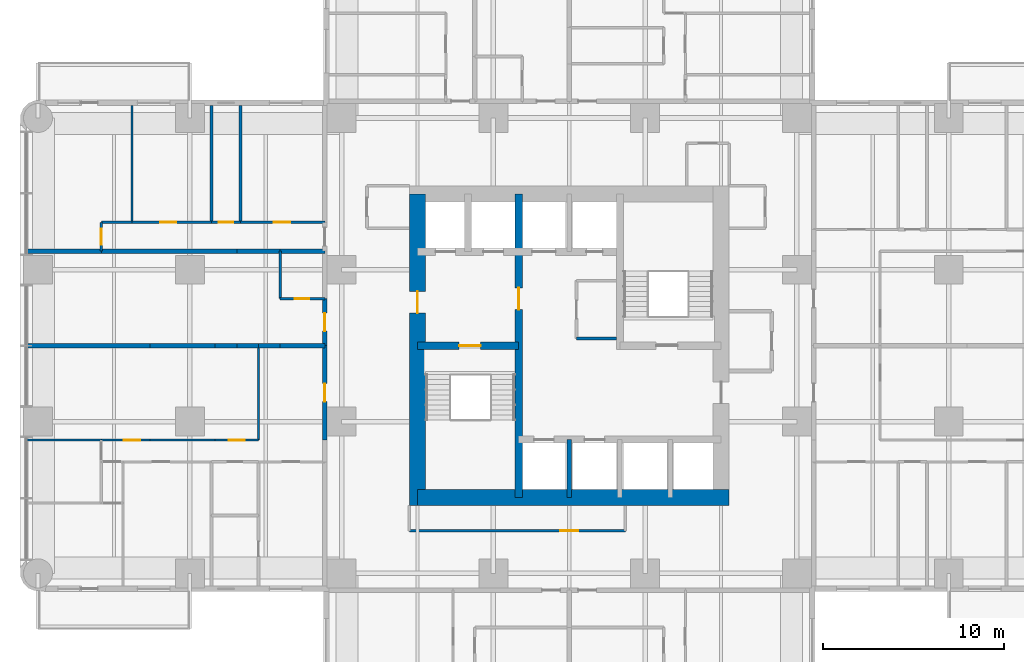
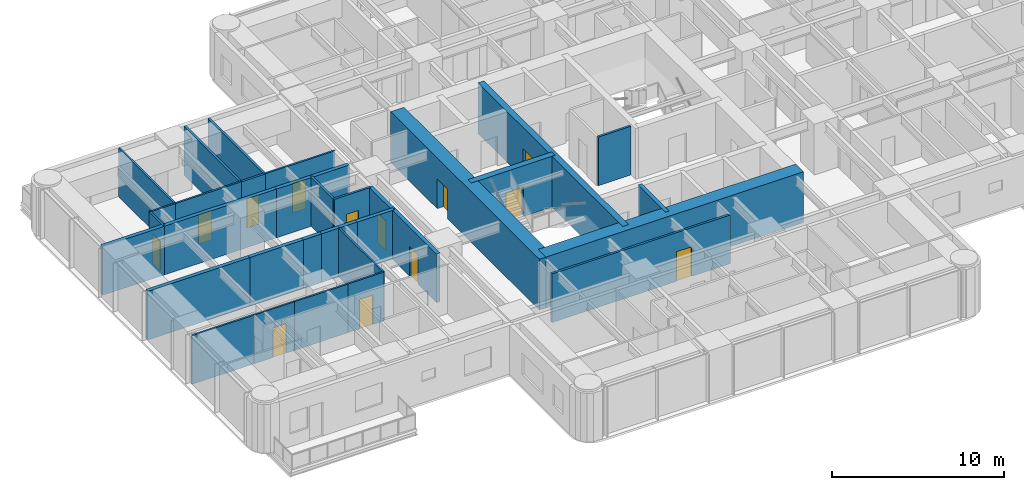
# One storey, part 7 of 14: 34 walls, 13 doors, 13 openings.
"""IFC4 building model written with IfcOpenShell, lengths in metres."""

from ifc_helpers import new_model, si_unit, direction, frame, frame_2d, origin, place, context, subcontext, project, spatial, rectangle, extrude, material, layer, layer_set, type_object, element, fill, save


model = new_model("IFC4")

# Units and contexts
model_context = context("Model", 3, precision=1e-05, world=origin(), true_north=direction((0.0, 1.0)))
body_context = subcontext(model_context, "Body", "Model", "MODEL_VIEW")
ifc_project = project(units=[si_unit("LENGTHUNIT", "METRE"), si_unit("AREAUNIT", "SQUARE_METRE"), si_unit("VOLUMEUNIT", "CUBIC_METRE"), si_unit("PLANEANGLEUNIT", "RADIAN"), si_unit("MASSUNIT", "GRAM", prefix="KILO")], contexts=[model_context])

# Site, building, storey
site_placement = place(None, origin())
site = spatial("IfcSite", under=ifc_project, at=site_placement, CompositionType="ELEMENT")
building_placement = place(site_placement, origin())
building = spatial("IfcBuilding", under=site, at=building_placement, Name="Torre Alcanfor", CompositionType="ELEMENT")
storey_placement = place(building_placement, frame((0.0, 0.0, 130.5)))
storey = spatial("IfcBuildingStorey", under=building, at=storey_placement, Name="L33", CompositionType="ELEMENT", Elevation=130.5)

# Wall, opening, door
ifc_material_1 = material(Name="Concrete block masonry, hollow blocks NMX-C-404 9 MPa", Category="masonry")
ifc_layer_1 = layer(ifc_material_1, 0.25)
ifc_layer_set_1 = layer_set([ifc_layer_1], Name="Apartment entrance wall 250 EI 60")
wall_type_1 = type_object("IfcWallType", Name="Apartment entrance wall 250 EI 60", PredefinedType="PARTITIONING", material=ifc_layer_set_1)
wall_1_placement = place(storey_placement, frame((15.875, 24.1708984375, 0.0), z_axis=(0.0, 0.0, 1.0), x_axis=(0.0, 1.0, 0.0)))
wall_1 = element("IfcWall", 1, at=wall_1_placement, inside=storey, type_object=wall_type_1, Name="Partition L33-CORR / L33-W1-ZAG", PredefinedType="PARTITIONING", context=body_context, shape_type="SweptSolid", body=[
    extrude(rectangle(XDim=5.22900390625, YDim=0.25, at=frame_2d((2.614501953125, 0.0))), origin(), (0.0, 0.0, 1.0), 3.449951171875),
])
opening_1_placement = place(wall_1_placement, frame((2.12890625, 0.0, 0.0)))
opening_1 = element("IfcOpeningElement", 2, at=opening_1_placement, cuts=wall_1, Name="Opening D-A1", PredefinedType="OPENING", context=body_context, shape_type="SweptSolid", body=[
    extrude(rectangle(XDim=1.0, YDim=2.10009765625, at=frame_2d((0.5, 1.050048828125))), frame((0.0, 0.135009765625, 0.0), z_axis=(0.0, -1.0, 0.0), x_axis=(1.0, 0.0, 0.0)), (0.0, 0.0, 1.0), 0.27001953125),
])
ifc_material_2 = material(Name="Galvanised steel sheet ASTM A653", Category="steel")
door_type_1 = type_object("IfcDoorType", Name="Apartment entrance door FD60 1000x2100", OperationType="SINGLE_SWING_LEFT", PredefinedType="DOOR", material=ifc_material_2)
door_1_placement = place(opening_1_placement, origin())
door_1 = element("IfcDoor", 3, at=door_1_placement, inside=storey, type_object=door_type_1, Name="Apartment entrance L33-W1", OperationType="SINGLE_SWING_RIGHT", OverallHeight=2.10009765625, OverallWidth=1.0, PredefinedType="DOOR", context=body_context, shape_type="SweptSolid", body=[
    extrude(rectangle(XDim=1.0, YDim=2.10009765625, at=frame_2d((0.5, 1.050048828125))), frame((0.0, 0.02490234375, 0.0), z_axis=(0.0, -1.0, 0.0), x_axis=(1.0, 0.0, 0.0)), (0.0, 0.0, 1.0), 0.050048828125),
])
fill(opening_1, door_1)

wall_2_placement = place(storey_placement, frame((15.875, 29.39990234375, 0.0), z_axis=(0.0, 0.0, 1.0), x_axis=(0.0, 1.0, 0.0)))
wall_2 = element("IfcWall", 4, at=wall_2_placement, inside=storey, type_object=wall_type_1, Name="Partition L33-CORR / L33-W2A-FOYER", PredefinedType="PARTITIONING", context=body_context, shape_type="SweptSolid", body=[
    extrude(rectangle(XDim=2.60009765625, YDim=0.25, at=frame_2d((1.300048828125, 0.0))), origin(), (0.0, 0.0, 1.0), 3.449951171875),
])
opening_2_placement = place(wall_2_placement, frame((0.800048828125, 0.0, 0.0)))
opening_2 = element("IfcOpeningElement", 5, at=opening_2_placement, cuts=wall_2, Name="Opening D-A1", PredefinedType="OPENING", context=body_context, shape_type="SweptSolid", body=[
    extrude(rectangle(XDim=1.0, YDim=2.10009765625, at=frame_2d((0.5, 1.050048828125))), frame((0.0, 0.135009765625, 0.0), z_axis=(0.0, -1.0, 0.0), x_axis=(1.0, 0.0, 0.0)), (0.0, 0.0, 1.0), 0.27001953125),
])
door_2_placement = place(opening_2_placement, origin())
door_2 = element("IfcDoor", 6, at=door_2_placement, inside=storey, type_object=door_type_1, Name="Apartment entrance L33-W2A", OperationType="SINGLE_SWING_LEFT", OverallHeight=2.10009765625, OverallWidth=1.0, PredefinedType="DOOR", context=body_context, shape_type="SweptSolid", body=[
    extrude(rectangle(XDim=1.0, YDim=2.10009765625, at=frame_2d((0.5, 1.050048828125))), frame((0.0, 0.02490234375, 0.0), z_axis=(0.0, -1.0, 0.0), x_axis=(1.0, 0.0, 0.0)), (0.0, 0.0, 1.0), 0.050048828125),
])
fill(opening_2, door_2)

# Wall
ifc_material_3 = material(Name="Gypsum board on steel studs", Category="steel")
ifc_layer_2 = layer(ifc_material_3, 0.1201171875)
ifc_layer_set_2 = layer_set([ifc_layer_2], Name="Apartment partition 120")
wall_type_2 = type_object("IfcWallType", Name="Apartment partition 120", PredefinedType="PARTITIONING", material=ifc_layer_set_2)
wall_3_placement = place(storey_placement, frame((12.199951171875, 29.39990234375, 0.0), z_axis=(0.0, 0.0, 1.0), x_axis=(0.0, -1.0, 0.0)))
element("IfcWall", 7, at=wall_3_placement, inside=storey, type_object=wall_type_2, Name="Partition L33-W1-ZAG / L33-W1-LAUND", PredefinedType="PARTITIONING", context=body_context, shape_type="SweptSolid", body=[
    extrude(rectangle(XDim=5.22900390625, YDim=0.1201171875, at=frame_2d((2.614501953125, 0.0))), origin(), (0.0, 0.0, 1.0), 3.449951171875),
])

# Wall, opening, door
wall_4_placement = place(storey_placement, frame((9.800048828125, 24.1708984375, 0.0), z_axis=(0.0, 0.0, 1.0), x_axis=(1.0, 0.0, 0.0)))
wall_4 = element("IfcWall", 8, at=wall_4_placement, inside=storey, type_object=wall_type_2, Name="Partition L33-W1-LAUND / L33-W1-HALL", PredefinedType="PARTITIONING", context=body_context, shape_type="SweptSolid", body=[
    extrude(rectangle(XDim=2.39990234375, YDim=0.1201171875, at=frame_2d((1.199951171875, 0.0))), origin(), (0.0, 0.0, 1.0), 3.449951171875),
])
opening_3_placement = place(wall_4_placement, frame((0.75, 0.0, 0.0)))
opening_3 = element("IfcOpeningElement", 9, at=opening_3_placement, cuts=wall_4, Name="Opening D-R1", PredefinedType="OPENING", context=body_context, shape_type="SweptSolid", body=[
    extrude(rectangle(XDim=0.89990234375, YDim=2.10009765625, at=frame_2d((0.449951171875, 1.050048828125))), frame((0.0, 0.070068359375, 0.0), z_axis=(0.0, -1.0, 0.0), x_axis=(1.0, 0.0, 0.0)), (0.0, 0.0, 1.0), 0.14013671875),
])
ifc_material_4 = material(Name="Timber", Category="wood")
door_type_2 = type_object("IfcDoorType", Name="Internal door 900x2100", OperationType="SINGLE_SWING_LEFT", PredefinedType="DOOR", material=ifc_material_4)
door_3_placement = place(opening_3_placement, origin())
door_3 = element("IfcDoor", 10, at=door_3_placement, inside=storey, type_object=door_type_2, Name="Door L33-W1 laund", OperationType="SINGLE_SWING_LEFT", OverallHeight=2.10009765625, OverallWidth=0.89990234375, PredefinedType="DOOR", context=body_context, shape_type="SweptSolid", body=[
    extrude(rectangle(XDim=0.89990234375, YDim=2.10009765625, at=frame_2d((0.449951171875, 1.050048828125))), frame((0.0, 0.02490234375, 0.0), z_axis=(0.0, -1.0, 0.0), x_axis=(1.0, 0.0, 0.0)), (0.0, 0.0, 1.0), 0.050048828125),
])
fill(opening_3, door_3)

# Wall
wall_5_placement = place(storey_placement, frame((6.199951171875, 24.1708984375, 0.0), z_axis=(0.0, 0.0, 1.0), x_axis=(1.0, 0.0, 0.0)))
element("IfcWall", 11, at=wall_5_placement, inside=storey, type_object=wall_type_2, Name="Partition L33-W1-KITCHEN / L33-W1-HALL", PredefinedType="PARTITIONING", context=body_context, shape_type="SweptSolid", body=[
    extrude(rectangle(XDim=3.60009765625, YDim=0.1201171875, at=frame_2d((1.800048828125, 0.0))), origin(), (0.0, 0.0, 1.0), 3.449951171875),
])

# Wall, opening, door
wall_6_placement = place(storey_placement, frame((3.5, 24.1708984375, 0.0), z_axis=(0.0, 0.0, 1.0), x_axis=(1.0, 0.0, 0.0)))
wall_6 = element("IfcWall", 12, at=wall_6_placement, inside=storey, type_object=wall_type_2, Name="Partition L33-W1-LIVING / L33-W1-HALL", PredefinedType="PARTITIONING", context=body_context, shape_type="SweptSolid", body=[
    extrude(rectangle(XDim=2.699951171875, YDim=0.1201171875, at=frame_2d((1.35009765625, 0.0))), origin(), (0.0, 0.0, 1.0), 3.449951171875),
])
opening_4_placement = place(wall_6_placement, frame((1.25, 0.0, 0.0)))
opening_4 = element("IfcOpeningElement", 13, at=opening_4_placement, cuts=wall_6, Name="Opening D-R1", PredefinedType="OPENING", context=body_context, shape_type="SweptSolid", body=[
    extrude(rectangle(XDim=0.89990234375, YDim=2.10009765625, at=frame_2d((0.449951171875, 1.050048828125))), frame((0.0, 0.070068359375, 0.0), z_axis=(0.0, -1.0, 0.0), x_axis=(1.0, 0.0, 0.0)), (0.0, 0.0, 1.0), 0.14013671875),
])
door_4_placement = place(opening_4_placement, origin())
door_4 = element("IfcDoor", 14, at=door_4_placement, inside=storey, type_object=door_type_2, Name="Door L33-W1 living", OperationType="SINGLE_SWING_RIGHT", OverallHeight=2.10009765625, OverallWidth=0.89990234375, PredefinedType="DOOR", context=body_context, shape_type="SweptSolid", body=[
    extrude(rectangle(XDim=0.89990234375, YDim=2.10009765625, at=frame_2d((0.449951171875, 1.050048828125))), frame((0.0, 0.02490234375, 0.0), z_axis=(0.0, -1.0, 0.0), x_axis=(1.0, 0.0, 0.0)), (0.0, 0.0, 1.0), 0.050048828125),
])
fill(opening_4, door_4)

# Wall
wall_7_placement = place(storey_placement, frame((-0.64990234375, 24.1708984375, 0.0), z_axis=(0.0, 0.0, 1.0), x_axis=(1.0, 0.0, 0.0)))
element("IfcWall", 15, at=wall_7_placement, inside=storey, type_object=wall_type_2, Name="Partition L33-W1-LIVING / L33-W1-BED2", PredefinedType="PARTITIONING", context=body_context, shape_type="SweptSolid", body=[
    extrude(rectangle(XDim=4.14990234375, YDim=0.1201171875, at=frame_2d((2.074951171875, 0.0))), origin(), (0.0, 0.0, 1.0), 3.449951171875),
])

# Wall, opening, door
wall_8_placement = place(storey_placement, frame((11.199951171875, 36.22900390625, 0.0), z_axis=(0.0, 0.0, 1.0), x_axis=(1.0, 0.0, 0.0)))
wall_8 = element("IfcWall", 16, at=wall_8_placement, inside=storey, type_object=wall_type_2, Name="Partition L33-W2B-HALL / L33-W2B-MASTER", PredefinedType="PARTITIONING", context=body_context, shape_type="SweptSolid", body=[
    extrude(rectangle(XDim=4.675048828125, YDim=0.1201171875, at=frame_2d((2.33740234375, 0.0))), origin(), (0.0, 0.0, 1.0), 3.449951171875),
])
opening_5_placement = place(wall_8_placement, frame((1.85009765625, 0.0, 0.0)))
opening_5 = element("IfcOpeningElement", 17, at=opening_5_placement, cuts=wall_8, Name="Opening D-R1", PredefinedType="OPENING", context=body_context, shape_type="SweptSolid", body=[
    extrude(rectangle(XDim=0.89990234375, YDim=2.10009765625, at=frame_2d((0.449951171875, 1.050048828125))), frame((0.0, 0.070068359375, 0.0), z_axis=(0.0, -1.0, 0.0), x_axis=(1.0, 0.0, 0.0)), (0.0, 0.0, 1.0), 0.14013671875),
])
door_5_placement = place(opening_5_placement, origin())
door_5 = element("IfcDoor", 18, at=door_5_placement, inside=storey, type_object=door_type_2, Name="Door L33-W2B master", OperationType="SINGLE_SWING_LEFT", OverallHeight=2.10009765625, OverallWidth=0.89990234375, PredefinedType="DOOR", context=body_context, shape_type="SweptSolid", body=[
    extrude(rectangle(XDim=0.89990234375, YDim=2.10009765625, at=frame_2d((0.449951171875, 1.050048828125))), frame((0.0, 0.02490234375, 0.0), z_axis=(0.0, -1.0, 0.0), x_axis=(1.0, 0.0, 0.0)), (0.0, 0.0, 1.0), 0.050048828125),
])
fill(opening_5, door_5)

wall_9_placement = place(storey_placement, frame((5.199951171875, 36.22900390625, 0.0), z_axis=(0.0, 0.0, 1.0), x_axis=(1.0, 0.0, 0.0)))
wall_9 = element("IfcWall", 19, at=wall_9_placement, inside=storey, type_object=wall_type_2, Name="Partition L33-W2B-HALL / L33-W2B-STUDY", PredefinedType="PARTITIONING", context=body_context, shape_type="SweptSolid", body=[
    extrude(rectangle(XDim=4.400146484375, YDim=0.1201171875, at=frame_2d((2.2001953125, 0.0))), origin(), (0.0, 0.0, 1.0), 3.449951171875),
])
opening_6_placement = place(wall_9_placement, frame((1.550048828125, 0.0, 0.0)))
opening_6 = element("IfcOpeningElement", 20, at=opening_6_placement, cuts=wall_9, Name="Opening D-R1", PredefinedType="OPENING", context=body_context, shape_type="SweptSolid", body=[
    extrude(rectangle(XDim=0.89990234375, YDim=2.10009765625, at=frame_2d((0.449951171875, 1.050048828125))), frame((0.0, 0.070068359375, 0.0), z_axis=(0.0, -1.0, 0.0), x_axis=(1.0, 0.0, 0.0)), (0.0, 0.0, 1.0), 0.14013671875),
])
door_6_placement = place(opening_6_placement, origin())
door_6 = element("IfcDoor", 21, at=door_6_placement, inside=storey, type_object=door_type_2, Name="Door L33-W2B study", OperationType="SINGLE_SWING_LEFT", OverallHeight=2.10009765625, OverallWidth=0.89990234375, PredefinedType="DOOR", context=body_context, shape_type="SweptSolid", body=[
    extrude(rectangle(XDim=0.89990234375, YDim=2.10009765625, at=frame_2d((0.449951171875, 1.050048828125))), frame((0.0, 0.02490234375, 0.0), z_axis=(0.0, -1.0, 0.0), x_axis=(1.0, 0.0, 0.0)), (0.0, 0.0, 1.0), 0.050048828125),
])
fill(opening_6, door_6)

# Wall
wall_10_placement = place(storey_placement, frame((3.5, 36.22900390625, 0.0), z_axis=(0.0, 0.0, 1.0), x_axis=(1.0, 0.0, 0.0)))
element("IfcWall", 22, at=wall_10_placement, inside=storey, type_object=wall_type_2, Name="Partition L33-W2B-HALL / L33-W2B-KITCHEN", PredefinedType="PARTITIONING", context=body_context, shape_type="SweptSolid", body=[
    extrude(rectangle(XDim=1.699951171875, YDim=0.1201171875, at=frame_2d((0.85009765625, 0.0))), origin(), (0.0, 0.0, 1.0), 3.449951171875),
])

# Wall, opening, door
wall_11_placement = place(storey_placement, frame((3.5, 34.62890625, 0.0), z_axis=(0.0, 0.0, 1.0), x_axis=(0.0, 1.0, 0.0)))
wall_11 = element("IfcWall", 23, at=wall_11_placement, inside=storey, type_object=wall_type_2, Name="Partition L33-W2B-HALL / L33-W2B-LIVING", PredefinedType="PARTITIONING", context=body_context, shape_type="SweptSolid", body=[
    extrude(rectangle(XDim=1.60009765625, YDim=0.1201171875, at=frame_2d((0.800048828125, 0.0))), origin(), (0.0, 0.0, 1.0), 3.449951171875),
])
opening_7_placement = place(wall_11_placement, frame((0.35009765625, 0.0, 0.0)))
opening_7 = element("IfcOpeningElement", 24, at=opening_7_placement, cuts=wall_11, Name="Opening D-R1", PredefinedType="OPENING", context=body_context, shape_type="SweptSolid", body=[
    extrude(rectangle(XDim=0.89990234375, YDim=2.10009765625, at=frame_2d((0.449951171875, 1.050048828125))), frame((0.0, 0.070068359375, 0.0), z_axis=(0.0, -1.0, 0.0), x_axis=(1.0, 0.0, 0.0)), (0.0, 0.0, 1.0), 0.14013671875),
])
door_7_placement = place(opening_7_placement, origin())
door_7 = element("IfcDoor", 25, at=door_7_placement, inside=storey, type_object=door_type_2, Name="Door L33-W2B living", OperationType="SINGLE_SWING_LEFT", OverallHeight=2.10009765625, OverallWidth=0.89990234375, PredefinedType="DOOR", context=body_context, shape_type="SweptSolid", body=[
    extrude(rectangle(XDim=0.89990234375, YDim=2.10009765625, at=frame_2d((0.449951171875, 1.050048828125))), frame((0.0, 0.02490234375, 0.0), z_axis=(0.0, -1.0, 0.0), x_axis=(1.0, 0.0, 0.0)), (0.0, 0.0, 1.0), 0.050048828125),
])
fill(opening_7, door_7)

# Wall
wall_12_placement = place(storey_placement, frame((5.199951171875, 36.22900390625, 0.0), z_axis=(0.0, 0.0, 1.0), x_axis=(0.0, 1.0, 0.0)))
element("IfcWall", 26, at=wall_12_placement, inside=storey, type_object=wall_type_2, Name="Partition L33-W2B-STUDY / L33-W2B-KITCHEN", PredefinedType="PARTITIONING", context=body_context, shape_type="SweptSolid", body=[
    extrude(rectangle(XDim=6.470947265625, YDim=0.1201171875, at=frame_2d((3.2353515625, 0.0))), origin(), (0.0, 0.0, 1.0), 3.449951171875),
])

# Wall, opening, door
ifc_material_5 = material(Name="Concrete f'c 70 MPa", Category="concrete")
ifc_layer_3 = layer(ifc_material_5, 0.39990234375)
ifc_layer_set_3 = layer_set([ifc_layer_3], Name="Core inner wall 400 f'c70")
wall_type_3 = type_object("IfcWallType", Name="Core inner wall 400 f'c70", PredefinedType="SHEAR", material=ifc_layer_set_3)
wall_13_placement = place(storey_placement, frame((26.60009765625, 21.0, 0.0), z_axis=(0.0, 0.0, 1.0), x_axis=(0.0, 1.0, 0.0)))
wall_13 = element("IfcWall", 27, at=wall_13_placement, inside=storey, type_object=wall_type_3, Name="Core wall X266 L33", PredefinedType="SHEAR", context=body_context, shape_type="SweptSolid", body=[
    extrude(rectangle(XDim=16.800048828125, YDim=0.39990234375, at=frame_2d((8.39990234375, 0.0))), origin(), (0.0, 0.0, 1.0), 3.60009765625),
])
opening_8_placement = place(wall_13_placement, frame((10.39990234375, 0.0, 0.0)))
opening_8 = element("IfcOpeningElement", 28, at=opening_8_placement, cuts=wall_13, Name="Opening D-L1", PredefinedType="OPENING", context=body_context, shape_type="SweptSolid", body=[
    extrude(rectangle(XDim=1.199951171875, YDim=2.10009765625, at=frame_2d((0.60009765625, 1.050048828125))), frame((0.0, 0.2099609375, 0.0), z_axis=(0.0, -1.0, 0.0), x_axis=(1.0, 0.0, 0.0)), (0.0, 0.0, 1.0), 0.419921875),
])
ifc_material_6 = material(Name="Galvanised steel sheet ASTM A653", Category="steel")
door_type_3 = type_object("IfcDoorType", Name="Lobby door FD120 1200x2100", OperationType="SINGLE_SWING_LEFT", PredefinedType="DOOR", material=ifc_material_6)
door_8_placement = place(opening_8_placement, origin())
door_8 = element("IfcDoor", 29, at=door_8_placement, inside=storey, type_object=door_type_3, Name="Lift lobby door L33", OperationType="SINGLE_SWING_LEFT", OverallHeight=2.10009765625, OverallWidth=1.199951171875, PredefinedType="DOOR", context=body_context, shape_type="SweptSolid", body=[
    extrude(rectangle(XDim=1.199951171875, YDim=2.10009765625, at=frame_2d((0.60009765625, 1.050048828125))), frame((0.0, 0.02490234375, 0.0), z_axis=(0.0, -1.0, 0.0), x_axis=(1.0, 0.0, 0.0)), (0.0, 0.0, 1.0), 0.050048828125),
])
fill(opening_8, door_8)

wall_14_placement = place(storey_placement, frame((21.0, 29.39990234375, 0.0), z_axis=(0.0, 0.0, 1.0), x_axis=(1.0, 0.0, 0.0)))
wall_14 = element("IfcWall", 30, at=wall_14_placement, inside=storey, type_object=wall_type_3, Name="Core wall Y294W L33", PredefinedType="SHEAR", context=body_context, shape_type="SweptSolid", body=[
    extrude(rectangle(XDim=5.60009765625, YDim=0.39990234375, at=frame_2d((2.800048828125, 0.0))), origin(), (0.0, 0.0, 1.0), 3.60009765625),
])
opening_9_placement = place(wall_14_placement, frame((2.300048828125, 0.0, 0.0)))
opening_9 = element("IfcOpeningElement", 31, at=opening_9_placement, cuts=wall_14, Name="Opening D-S2", PredefinedType="OPENING", context=body_context, shape_type="SweptSolid", body=[
    extrude(rectangle(XDim=1.199951171875, YDim=2.10009765625, at=frame_2d((0.60009765625, 1.050048828125))), frame((0.0, 0.2099609375, 0.0), z_axis=(0.0, -1.0, 0.0), x_axis=(1.0, 0.0, 0.0)), (0.0, 0.0, 1.0), 0.419921875),
])
ifc_material_7 = material(Name="Galvanised steel sheet ASTM A653", Category="steel")
door_type_4 = type_object("IfcDoorType", Name="Stair enclosure door FD120 1200x2100", OperationType="SINGLE_SWING_LEFT", PredefinedType="DOOR", material=ifc_material_7)
door_9_placement = place(opening_9_placement, frame((1.199951171875, 0.0, 0.0), z_axis=(0.0, 0.0, 1.0), x_axis=(-1.0, 0.0, 0.0)))
door_9 = element("IfcDoor", 32, at=door_9_placement, inside=storey, type_object=door_type_4, Name="Stair S1 door L33", OperationType="SINGLE_SWING_LEFT", OverallHeight=2.10009765625, OverallWidth=1.199951171875, PredefinedType="DOOR", context=body_context, shape_type="SweptSolid", body=[
    extrude(rectangle(XDim=1.199951171875, YDim=2.10009765625, at=frame_2d((0.599853515625, 1.050048828125))), frame((0.0, 0.025146484375, 0.0), z_axis=(0.0, -1.0, 0.0), x_axis=(1.0, 0.0, 0.0)), (0.0, 0.0, 1.0), 0.050048828125),
])
fill(opening_9, door_9)

# Walls
ifc_material_8 = material(Name="Concrete f'c 70 MPa", Category="concrete")
ifc_layer_4 = layer(ifc_material_8, 0.25)
ifc_layer_set_4 = layer_set([ifc_layer_4], Name="Core shaft wall 250 f'c70")
wall_type_4 = type_object("IfcWallType", Name="Core shaft wall 250 f'c70", PredefinedType="SHEAR", material=ifc_layer_set_4)
wall_15_placement = place(storey_placement, frame((29.39990234375, 21.0, 0.0), z_axis=(0.0, 0.0, 1.0), x_axis=(0.0, 1.0, 0.0)))
element("IfcWall", 33, at=wall_15_placement, inside=storey, type_object=wall_type_4, Name="Core wall X294S L33", PredefinedType="SHEAR", context=body_context, shape_type="SweptSolid", body=[
    extrude(rectangle(XDim=3.199951171875, YDim=0.25, at=frame_2d((1.60009765625, 0.0))), origin(), (0.0, 0.0, 1.0), 3.60009765625),
])
ifc_material_9 = material(Name="Concrete f'c 70 MPa", Category="concrete")
ifc_layer_5 = layer(ifc_material_9, 0.89990234375)
ifc_layer_set_5 = layer_set([ifc_layer_5], Name="Core wall 900 f'c70")
wall_type_5 = type_object("IfcWallType", Name="Core wall 900 f'c70", PredefinedType="SHEAR", material=ifc_layer_set_5)
wall_16_placement = place(storey_placement, frame((21.0, 21.0, 0.0), z_axis=(0.0, 0.0, 1.0), x_axis=(1.0, 0.0, 0.0)))
element("IfcWall", 34, at=wall_16_placement, inside=storey, type_object=wall_type_5, Name="Core wall OUT-S L33", PredefinedType="SHEAR", context=body_context, shape_type="SweptSolid", body=[
    extrude(rectangle(XDim=17.25, YDim=0.89990234375, at=frame_2d((8.625, 0.0))), origin(), (0.0, 0.0, 1.0), 3.60009765625),
])

# Wall, opening, door
wall_17_placement = place(storey_placement, frame((21.0, 37.800048828125, 0.0), z_axis=(0.0, 0.0, 1.0), x_axis=(0.0, -1.0, 0.0)))
wall_17 = element("IfcWall", 35, at=wall_17_placement, inside=storey, type_object=wall_type_5, Name="Core wall OUT-W L33", PredefinedType="SHEAR", context=body_context, shape_type="SweptSolid", body=[
    extrude(rectangle(XDim=17.25, YDim=0.89990234375, at=frame_2d((8.625, 0.0))), origin(), (0.0, 0.0, 1.0), 3.60009765625),
])
opening_10_placement = place(wall_17_placement, frame((5.39990234375, 0.0, 0.0)))
opening_10 = element("IfcOpeningElement", 36, at=opening_10_placement, cuts=wall_17, Name="Opening D-L1", PredefinedType="OPENING", context=body_context, shape_type="SweptSolid", body=[
    extrude(rectangle(XDim=1.199951171875, YDim=2.10009765625, at=frame_2d((0.60009765625, 1.050048828125))), frame((0.0, 0.4599609375, 0.0), z_axis=(0.0, -1.0, 0.0), x_axis=(1.0, 0.0, 0.0)), (0.0, 0.0, 1.0), 0.919921875),
])
door_10_placement = place(opening_10_placement, origin())
door_10 = element("IfcDoor", 37, at=door_10_placement, inside=storey, type_object=door_type_3, Name="Firefighting lobby door L33", OperationType="SINGLE_SWING_LEFT", OverallHeight=2.10009765625, OverallWidth=1.199951171875, PredefinedType="DOOR", context=body_context, shape_type="SweptSolid", body=[
    extrude(rectangle(XDim=1.199951171875, YDim=2.10009765625, at=frame_2d((0.60009765625, 1.050048828125))), frame((0.0, 0.02490234375, 0.0), z_axis=(0.0, -1.0, 0.0), x_axis=(1.0, 0.0, 0.0)), (0.0, 0.0, 1.0), 0.050048828125),
])
fill(opening_10, door_10)

# Walls
ifc_material_10 = material(Name="Concrete block masonry, hollow blocks NMX-C-404 9 MPa", Category="masonry")
ifc_layer_6 = layer(ifc_material_10, 0.25)
ifc_layer_set_6 = layer_set([ifc_layer_6], Name="Party wall 250 EI 60")
wall_type_6 = type_object("IfcWallType", Name="Party wall 250 EI 60", PredefinedType="PARTITIONING", material=ifc_layer_set_6)
wall_18_placement = place(storey_placement, frame((15.875, 29.39990234375, 0.0), z_axis=(0.0, 0.0, 1.0), x_axis=(-1.0, 0.0, 0.0)))
element("IfcWall", 38, at=wall_18_placement, inside=storey, type_object=wall_type_6, Name="Partition L33-W1-ZAG / L33-W2A-FOYER", PredefinedType="PARTITIONING", context=body_context, shape_type="SweptSolid", body=[
    extrude(rectangle(XDim=2.47509765625, YDim=0.25, at=frame_2d((1.237548828125, 0.0))), origin(), (0.0, 0.0, 1.0), 3.449951171875),
])
for number, where, z_axis, x_axis, name in (
    (39, (13.39990234375, 29.39990234375, 0.0), (0.0, 0.0, 1.0), (-1.0, 0.0, 0.0), "Partition L33-W1-ZAG / L33-W2A-KITCHEN"),
    (40, (12.199951171875, 29.39990234375, 0.0), (0.0, 0.0, 1.0), (-1.0, 0.0, 0.0), "Partition L33-W1-LAUND / L33-W2A-KITCHEN"),
    (41, (11.0, 29.39990234375, 0.0), (0.0, 0.0, 1.0), (-1.0, 0.0, 0.0), "Partition L33-W1-LAUND / L33-W2A-STUDIO"),
):
    element("IfcWall", number, at=place(storey_placement, frame(where, z_axis=z_axis, x_axis=x_axis)), inside=storey, type_object=wall_type_6, Name=name, PredefinedType="PARTITIONING", context=body_context, shape_type="SweptSolid", body=[
        extrude(rectangle(XDim=1.199951171875, YDim=0.25, at=frame_2d((0.60009765625, 0.0))), origin(), (0.0, 0.0, 1.0), 3.449951171875),
    ])
wall_19_placement = place(storey_placement, frame((9.800048828125, 29.39990234375, 0.0), z_axis=(0.0, 0.0, 1.0), x_axis=(-1.0, 0.0, 0.0)))
element("IfcWall", 42, at=wall_19_placement, inside=storey, type_object=wall_type_6, Name="Partition L33-W1-KITCHEN / L33-W2A-STUDIO", PredefinedType="PARTITIONING", context=body_context, shape_type="SweptSolid", body=[
    extrude(rectangle(XDim=3.60009765625, YDim=0.25, at=frame_2d((1.800048828125, 0.0))), origin(), (0.0, 0.0, 1.0), 3.449951171875),
])
wall_20_placement = place(storey_placement, frame((6.199951171875, 29.39990234375, 0.0), z_axis=(0.0, 0.0, 1.0), x_axis=(-1.0, 0.0, 0.0)))
element("IfcWall", 43, at=wall_20_placement, inside=storey, type_object=wall_type_6, Name="Partition L33-W1-LIVING / L33-W2A-STUDIO", PredefinedType="PARTITIONING", context=body_context, shape_type="SweptSolid", body=[
    extrude(rectangle(XDim=6.849853515625, YDim=0.25, at=frame_2d((3.4248046875, 0.0))), origin(), (0.0, 0.0, 1.0), 3.449951171875),
])
wall_21_placement = place(storey_placement, frame((13.39990234375, 34.62890625, 0.0), z_axis=(0.0, 0.0, 1.0), x_axis=(1.0, 0.0, 0.0)))
element("IfcWall", 44, at=wall_21_placement, inside=storey, type_object=wall_type_6, Name="Partition L33-W2A-BATH / L33-W2B-HALL", PredefinedType="PARTITIONING", context=body_context, shape_type="SweptSolid", body=[
    extrude(rectangle(XDim=2.47509765625, YDim=0.25, at=frame_2d((1.237548828125, 0.0))), origin(), (0.0, 0.0, 1.0), 3.449951171875),
])
wall_22_placement = place(storey_placement, frame((11.0, 34.62890625, 0.0), z_axis=(0.0, 0.0, 1.0), x_axis=(1.0, 0.0, 0.0)))
element("IfcWall", 45, at=wall_22_placement, inside=storey, type_object=wall_type_6, Name="Partition L33-W2A-KITCHEN / L33-W2B-HALL", PredefinedType="PARTITIONING", context=body_context, shape_type="SweptSolid", body=[
    extrude(rectangle(XDim=2.39990234375, YDim=0.25, at=frame_2d((1.199951171875, 0.0))), origin(), (0.0, 0.0, 1.0), 3.449951171875),
])
wall_23_placement = place(storey_placement, frame((3.5, 34.62890625, 0.0), z_axis=(0.0, 0.0, 1.0), x_axis=(1.0, 0.0, 0.0)))
element("IfcWall", 46, at=wall_23_placement, inside=storey, type_object=wall_type_6, Name="Partition L33-W2A-STUDIO / L33-W2B-HALL", PredefinedType="PARTITIONING", context=body_context, shape_type="SweptSolid", body=[
    extrude(rectangle(XDim=7.5, YDim=0.25, at=frame_2d((3.75, 0.0))), origin(), (0.0, 0.0, 1.0), 3.449951171875),
])
wall_24_placement = place(storey_placement, frame((-0.64990234375, 34.62890625, 0.0), z_axis=(0.0, 0.0, 1.0), x_axis=(1.0, 0.0, 0.0)))
element("IfcWall", 47, at=wall_24_placement, inside=storey, type_object=wall_type_6, Name="Partition L33-W2A-STUDIO / L33-W2B-LIVING", PredefinedType="PARTITIONING", context=body_context, shape_type="SweptSolid", body=[
    extrude(rectangle(XDim=4.14990234375, YDim=0.25, at=frame_2d((2.074951171875, 0.0))), origin(), (0.0, 0.0, 1.0), 3.449951171875),
])

# Wall, opening, door
ifc_material_11 = material(Name="Concrete block masonry, hollow blocks NMX-C-404 9 MPa", Category="masonry")
ifc_layer_7 = layer(ifc_material_11, 0.14990234375)
ifc_layer_set_7 = layer_set([ifc_layer_7], Name="Residents' room partition 150")
wall_type_7 = type_object("IfcWallType", Name="Residents' room partition 150", PredefinedType="PARTITIONING", material=ifc_layer_set_7)
wall_25_placement = place(storey_placement, frame((20.550048828125, 19.14990234375, 0.0), z_axis=(0.0, 0.0, 1.0), x_axis=(1.0, 0.0, 0.0)))
wall_25 = element("IfcWall", 48, at=wall_25_placement, inside=storey, type_object=wall_type_7, Name="Partition L33-CORR / L33-G04", PredefinedType="PARTITIONING", context=body_context, shape_type="SweptSolid", body=[
    extrude(rectangle(XDim=11.949951171875, YDim=0.14990234375, at=frame_2d((5.97509765625, 0.0))), origin(), (0.0, 0.0, 1.0), 3.449951171875),
])
opening_11_placement = place(wall_25_placement, frame((8.35009765625, 0.0, 0.0)))
opening_11 = element("IfcOpeningElement", 49, at=opening_11_placement, cuts=wall_25, Name="Opening D-M1", PredefinedType="OPENING", context=body_context, shape_type="SweptSolid", body=[
    extrude(rectangle(XDim=1.0, YDim=2.10009765625, at=frame_2d((0.5, 1.050048828125))), frame((0.0, 0.0849609375, 0.0), z_axis=(0.0, -1.0, 0.0), x_axis=(1.0, 0.0, 0.0)), (0.0, 0.0, 1.0), 0.169921875),
])
ifc_material_12 = material(Name="Timber", Category="wood")
door_type_5 = type_object("IfcDoorType", Name="Residents' room door 1000x2100", OperationType="SINGLE_SWING_LEFT", PredefinedType="DOOR", material=ifc_material_12)
door_11_placement = place(opening_11_placement, origin())
door_11 = element("IfcDoor", 50, at=door_11_placement, inside=storey, type_object=door_type_5, Name="Door L33-G04 residents' study room", OperationType="SINGLE_SWING_RIGHT", OverallHeight=2.10009765625, OverallWidth=1.0, PredefinedType="DOOR", context=body_context, shape_type="SweptSolid", body=[
    extrude(rectangle(XDim=1.0, YDim=2.10009765625, at=frame_2d((0.5, 1.050048828125))), frame((0.0, 0.02490234375, 0.0), z_axis=(0.0, -1.0, 0.0), x_axis=(1.0, 0.0, 0.0)), (0.0, 0.0, 1.0), 0.050048828125),
])
fill(opening_11, door_11)

# Wall
wall_26_placement = place(storey_placement, frame((32.0, 29.800048828125, 0.0), z_axis=(0.0, 0.0, 1.0), x_axis=(-1.0, 0.0, 0.0)))
element("IfcWall", 51, at=wall_26_placement, inside=storey, type_object=wall_type_7, Name="Partition L33-LL / L33-CR1", PredefinedType="PARTITIONING", context=body_context, shape_type="SweptSolid", body=[
    extrude(rectangle(XDim=2.199951171875, YDim=0.14990234375, at=frame_2d((1.10009765625, 0.0))), origin(), (0.0, 0.0, 1.0), 3.449951171875),
])

# Wall, opening, door
ifc_material_13 = material(Name="Cement board on steel studs", Category="steel")
ifc_layer_8 = layer(ifc_material_13, 0.14990234375)
ifc_layer_set_8 = layer_set([ifc_layer_8], Name="Wet area partition 150")
wall_type_8 = type_object("IfcWallType", Name="Wet area partition 150", PredefinedType="PARTITIONING", material=ifc_layer_set_8)
wall_27_placement = place(storey_placement, frame((13.39990234375, 32.0, 0.0), z_axis=(0.0, 0.0, 1.0), x_axis=(1.0, 0.0, 0.0)))
wall_27 = element("IfcWall", 52, at=wall_27_placement, inside=storey, type_object=wall_type_8, Name="Partition L33-W2A-FOYER / L33-W2A-BATH", PredefinedType="PARTITIONING", context=body_context, shape_type="SweptSolid", body=[
    extrude(rectangle(XDim=2.47509765625, YDim=0.14990234375, at=frame_2d((1.237548828125, 0.0))), origin(), (0.0, 0.0, 1.0), 3.449951171875),
])
opening_12_placement = place(wall_27_placement, frame((0.800048828125, 0.0, 0.0)))
opening_12 = element("IfcOpeningElement", 53, at=opening_12_placement, cuts=wall_27, Name="Opening D-R2", PredefinedType="OPENING", context=body_context, shape_type="SweptSolid", body=[
    extrude(rectangle(XDim=0.800048828125, YDim=2.10009765625, at=frame_2d((0.39990234375, 1.050048828125))), frame((0.0, 0.0849609375, 0.0), z_axis=(0.0, -1.0, 0.0), x_axis=(1.0, 0.0, 0.0)), (0.0, 0.0, 1.0), 0.169921875),
])
ifc_material_14 = material(Name="Timber", Category="wood")
door_type_6 = type_object("IfcDoorType", Name="Bathroom door 800x2100", OperationType="SINGLE_SWING_LEFT", PredefinedType="DOOR", material=ifc_material_14)
door_12_placement = place(opening_12_placement, origin())
door_12 = element("IfcDoor", 54, at=door_12_placement, inside=storey, type_object=door_type_6, Name="Door L33-W2A bath", OperationType="SINGLE_SWING_LEFT", OverallHeight=2.10009765625, OverallWidth=0.800048828125, PredefinedType="DOOR", context=body_context, shape_type="SweptSolid", body=[
    extrude(rectangle(XDim=0.800048828125, YDim=2.10009765625, at=frame_2d((0.39990234375, 1.050048828125))), frame((0.0, 0.02490234375, 0.0), z_axis=(0.0, -1.0, 0.0), x_axis=(1.0, 0.0, 0.0)), (0.0, 0.0, 1.0), 0.050048828125),
])
fill(opening_12, door_12)

# Wall
wall_28_placement = place(storey_placement, frame((13.39990234375, 32.0, 0.0), z_axis=(0.0, 0.0, 1.0), x_axis=(0.0, 1.0, 0.0)))
element("IfcWall", 55, at=wall_28_placement, inside=storey, type_object=wall_type_8, Name="Partition L33-W2A-BATH / L33-W2A-KITCHEN", PredefinedType="PARTITIONING", context=body_context, shape_type="SweptSolid", body=[
    extrude(rectangle(XDim=2.62890625, YDim=0.14990234375, at=frame_2d((1.314453125, 0.0))), origin(), (0.0, 0.0, 1.0), 3.449951171875),
])

# Wall, opening, door
wall_29_placement = place(storey_placement, frame((9.60009765625, 36.22900390625, 0.0), z_axis=(0.0, 0.0, 1.0), x_axis=(1.0, 0.0, 0.0)))
wall_29 = element("IfcWall", 56, at=wall_29_placement, inside=storey, type_object=wall_type_8, Name="Partition L33-W2B-HALL / L33-W2B-BATH", PredefinedType="PARTITIONING", context=body_context, shape_type="SweptSolid", body=[
    extrude(rectangle(XDim=1.599853515625, YDim=0.14990234375, at=frame_2d((0.7998046875, 0.0))), origin(), (0.0, 0.0, 1.0), 3.449951171875),
])
opening_13_placement = place(wall_29_placement, frame((0.39990234375, 0.0, 0.0)))
opening_13 = element("IfcOpeningElement", 57, at=opening_13_placement, cuts=wall_29, Name="Opening D-R2", PredefinedType="OPENING", context=body_context, shape_type="SweptSolid", body=[
    extrude(rectangle(XDim=0.800048828125, YDim=2.10009765625, at=frame_2d((0.39990234375, 1.050048828125))), frame((0.0, 0.0849609375, 0.0), z_axis=(0.0, -1.0, 0.0), x_axis=(1.0, 0.0, 0.0)), (0.0, 0.0, 1.0), 0.169921875),
])
door_13_placement = place(opening_13_placement, origin())
door_13 = element("IfcDoor", 58, at=door_13_placement, inside=storey, type_object=door_type_6, Name="Door L33-W2B bath", OperationType="SINGLE_SWING_LEFT", OverallHeight=2.10009765625, OverallWidth=0.800048828125, PredefinedType="DOOR", context=body_context, shape_type="SweptSolid", body=[
    extrude(rectangle(XDim=0.800048828125, YDim=2.10009765625, at=frame_2d((0.39990234375, 1.050048828125))), frame((0.0, 0.02490234375, 0.0), z_axis=(0.0, -1.0, 0.0), x_axis=(1.0, 0.0, 0.0)), (0.0, 0.0, 1.0), 0.050048828125),
])
fill(opening_13, door_13)

# Walls
for number, where, z_axis, x_axis, name in (
    (59, (11.199951171875, 36.22900390625, 0.0), (0.0, 0.0, 1.0), (0.0, 1.0, 0.0), "Partition L33-W2B-MASTER / L33-W2B-BATH"),
    (60, (9.60009765625, 36.22900390625, 0.0), (0.0, 0.0, 1.0), (0.0, 1.0, 0.0), "Partition L33-W2B-BATH / L33-W2B-STUDY"),
):
    element("IfcWall", number, at=place(storey_placement, frame(where, z_axis=z_axis, x_axis=x_axis)), inside=storey, type_object=wall_type_8, Name=name, PredefinedType="PARTITIONING", context=body_context, shape_type="SweptSolid", body=[
        extrude(rectangle(XDim=6.470947265625, YDim=0.14990234375, at=frame_2d((3.2353515625, 0.0))), origin(), (0.0, 0.0, 1.0), 3.449951171875),
    ])

save(model, "model.ifc")
